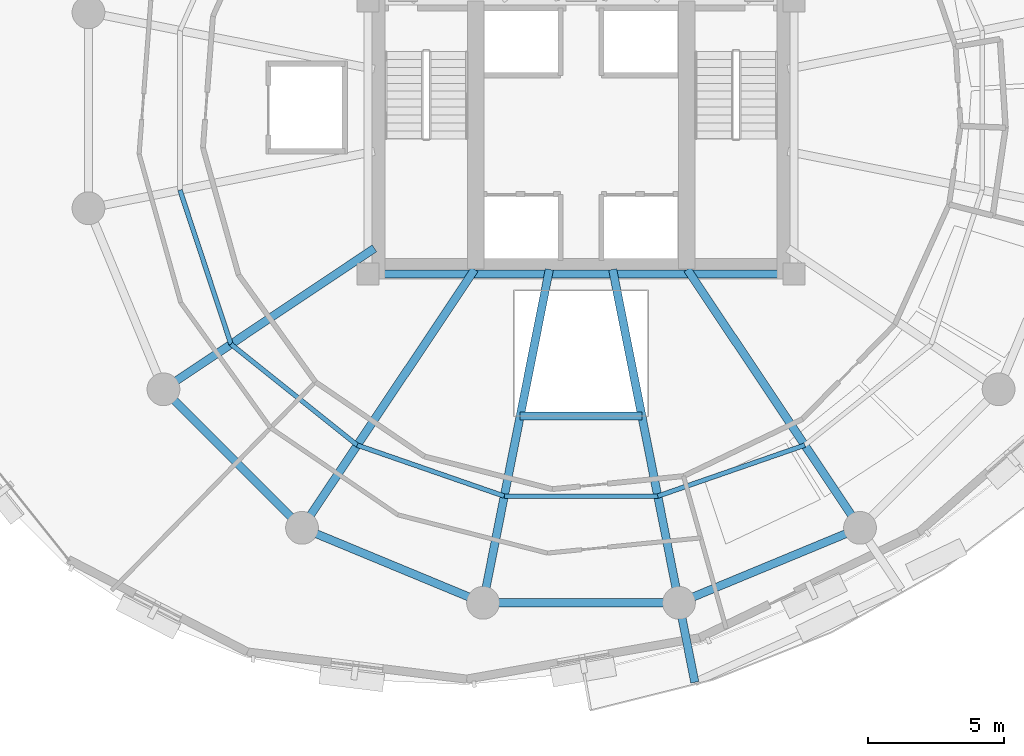
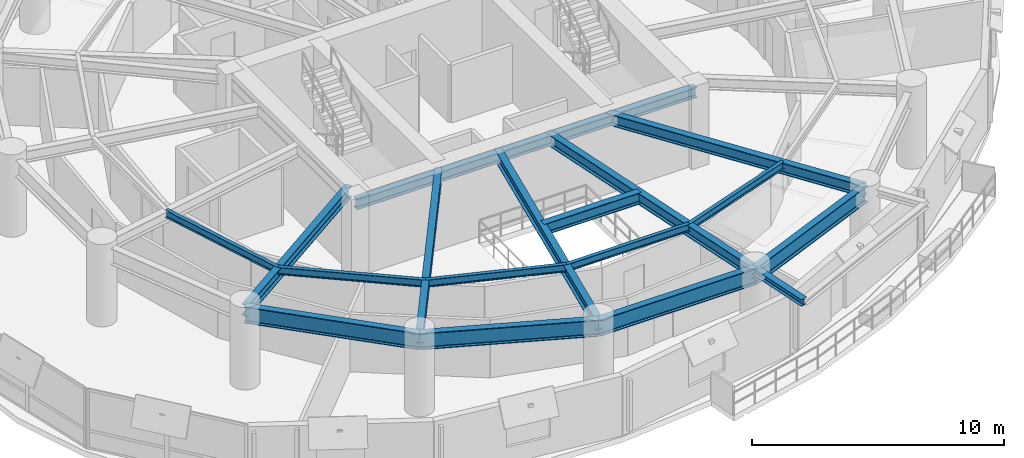
# One storey, part 3 of 15: 17 beams.
"""IFC4 building model written with IfcOpenShell, lengths in metres."""

from ifc_helpers import new_model, si_unit, direction, frame, origin, origin_2d, place, context, subcontext, project, spatial, i_section, extrude, material, material_profile, profile_set, type_object, element, save


model = new_model("IFC4")

# Units and contexts
model_context = context("Model", 3, precision=1e-05, world=origin(), true_north=direction((0.0, 1.0)))
body_context = subcontext(model_context, "Body", "Model", "MODEL_VIEW")
ifc_project = project(units=[si_unit("LENGTHUNIT", "METRE"), si_unit("AREAUNIT", "SQUARE_METRE"), si_unit("VOLUMEUNIT", "CUBIC_METRE"), si_unit("PLANEANGLEUNIT", "RADIAN"), si_unit("MASSUNIT", "GRAM", prefix="KILO"), si_unit("THERMODYNAMICTEMPERATUREUNIT", "KELVIN"), si_unit("POWERUNIT", "WATT")], contexts=[model_context])

# Site, building, storey
site_placement = place(None, origin())
site = spatial("IfcSite", under=ifc_project, at=site_placement, CompositionType="ELEMENT")
building_placement = place(site_placement, origin())
building = spatial("IfcBuilding", under=site, at=building_placement, Name="Ocrelia Relay Tower", CompositionType="ELEMENT")
storey_placement = place(building_placement, frame((0.0, 0.0, 141.800048828125)))
storey = spatial("IfcBuildingStorey", under=building, at=storey_placement, Name="L33", CompositionType="ELEMENT", Elevation=141.800048828125)

# Beams
ifc_material = material(Name="Steel S355", Category="steel")
ifc_material_profile_1 = material_profile(ifc_material, i_section(OverallWidth=0.300048828125, OverallDepth=0.330078125, WebThickness=0.009521484375, FlangeThickness=0.0166015625, FilletRadius=0.027099609375, at=origin_2d()), Name="HEA 340")
ifc_profile_set_1 = profile_set([ifc_material_profile_1], Name="Steel S355")
beam_type_1 = type_object("IfcBeamType", Name="BM-HEA340", PredefinedType="BEAM", material=ifc_profile_set_1)
beam_1_placement = place(storey_placement, frame((37.589599609375, 7.95361328125, 3.554931640625), z_axis=(0.195150917727, -0.980773225221, 0.0), x_axis=(0.980773225221, 0.195150917727, 0.0)))
element("IfcBeam", 1, at=beam_1_placement, inside=storey, type_object=beam_type_1, Name="L34 Balcony Cantilever Beam B2-1", PredefinedType="BEAM", context=body_context, shape_type="SweptSolid", body=[
    extrude(i_section(OverallWidth=0.300048828125, OverallDepth=0.330078125, WebThickness=0.009521484375, FlangeThickness=0.0166015625, FilletRadius=0.027099609375, at=origin_2d()), origin(), (0.0, 0.0, 1.0), 2.967529296875),
])
ifc_material_profile_2 = material_profile(ifc_material, i_section(OverallWidth=0.300048828125, OverallDepth=0.5, WebThickness=0.014404296875, FlangeThickness=0.028076171875, FilletRadius=0.027099609375, at=origin_2d()), Name="HEB 500")
ifc_profile_set_2 = profile_set([ifc_material_profile_2], Name="Steel S355")
beam_type_2 = type_object("IfcBeamType", Name="BM-HEB500", PredefinedType="BEAM", material=ifc_profile_set_2)
beam_2_placement = place(storey_placement, frame((26.199951171875, 20.0, 3.469970703125), z_axis=(1.0, 0.0, 0.0), x_axis=(0.0, 1.0, 0.0)))
element("IfcBeam", 2, at=beam_2_placement, inside=storey, type_object=beam_type_2, Name="L33 Core Pilaster Tie Beam S", PredefinedType="BEAM", context=body_context, shape_type="SweptSolid", body=[
    extrude(i_section(OverallWidth=0.300048828125, OverallDepth=0.5, WebThickness=0.014404296875, FlangeThickness=0.028076171875, FilletRadius=0.027099609375, at=origin_2d()), origin(), (0.0, 0.0, 1.0), 15.60009765625),
])
ifc_material_profile_3 = material_profile(ifc_material, i_section(OverallWidth=0.300048828125, OverallDepth=0.550048828125, WebThickness=0.014892578125, FlangeThickness=0.029052734375, FilletRadius=0.027099609375, at=origin_2d()), Name="HEB 550")
ifc_profile_set_3 = profile_set([ifc_material_profile_3], Name="Steel S355")
beam_type_3 = type_object("IfcBeamType", Name="BM-HEB550", PredefinedType="BEAM", material=ifc_profile_set_3)
beam_3_placement = place(storey_placement, frame((18.700927734375, 15.777587890625, 3.445068359375), z_axis=(0.831472030531, 0.555566613868, 0.0), x_axis=(-0.555566613868, 0.831472030531, 0.0)))
element("IfcBeam", 3, at=beam_3_placement, inside=storey, type_object=beam_type_3, Name="L33 Radial Floor Girder R10", PredefinedType="BEAM", context=body_context, shape_type="SweptSolid", body=[
    extrude(i_section(OverallWidth=0.300048828125, OverallDepth=0.550048828125, WebThickness=0.014892578125, FlangeThickness=0.029052734375, FilletRadius=0.027099609375, at=origin_2d()), origin(), (0.0, 0.0, 1.0), 9.295654296875),
])
beam_4_placement = place(storey_placement, frame((23.777587890625, 10.700927734375, 3.445068359375), z_axis=(0.555565661158, 0.831472667105, 0.0), x_axis=(-0.831472667105, 0.555565661158, 0.0)))
element("IfcBeam", 4, at=beam_4_placement, inside=storey, type_object=beam_type_3, Name="L33 Radial Floor Girder R11", PredefinedType="BEAM", context=body_context, shape_type="SweptSolid", body=[
    extrude(i_section(OverallWidth=0.300048828125, OverallDepth=0.550048828125, WebThickness=0.014892578125, FlangeThickness=0.029052734375, FilletRadius=0.027099609375, at=origin_2d()), origin(), (0.0, 0.0, 1.0), 11.38818359375),
])
for number, where, z_axis, x_axis, name in (
    (5, (30.410400390625, 7.95361328125, 3.445068359375), (0.195086983979, 0.980785944374, 0.0), (-0.980785944374, 0.195086983979, 0.0), "L33 Radial Floor Girder R12"),
    (6, (37.589599609375, 7.95361328125, 3.445068359375), (-0.195086983979, 0.980785944374, 0.0), (-0.980785944374, -0.195086983979, 0.0), "L33 Radial Floor Girder R13"),
):
    element("IfcBeam", number, at=place(storey_placement, frame(where, z_axis=z_axis, x_axis=x_axis)), inside=storey, type_object=beam_type_3, Name=name, PredefinedType="BEAM", context=body_context, shape_type="SweptSolid", body=[
        extrude(i_section(OverallWidth=0.300048828125, OverallDepth=0.550048828125, WebThickness=0.014892578125, FlangeThickness=0.029052734375, FilletRadius=0.027099609375, at=origin_2d()), origin(), (0.0, 0.0, 1.0), 12.45556640625),
    ])
beam_5_placement = place(storey_placement, frame((44.222412109375, 10.700927734375, 3.445068359375), z_axis=(-0.555565661158, 0.831472667105, 0.0), x_axis=(-0.831472667105, -0.555565661158, 0.0)))
element("IfcBeam", 7, at=beam_5_placement, inside=storey, type_object=beam_type_3, Name="L33 Radial Floor Girder R14", PredefinedType="BEAM", context=body_context, shape_type="SweptSolid", body=[
    extrude(i_section(OverallWidth=0.300048828125, OverallDepth=0.550048828125, WebThickness=0.014892578125, FlangeThickness=0.029052734375, FilletRadius=0.027099609375, at=origin_2d()), origin(), (0.0, 0.0, 1.0), 11.38818359375),
])
beam_6_placement = place(storey_placement, frame((31.772216796875, 14.800048828125, 3.445068359375), z_axis=(1.0, 0.0, 0.0), x_axis=(0.0, 1.0, 0.0)))
element("IfcBeam", 8, at=beam_6_placement, inside=storey, type_object=beam_type_3, Name="L33 Atrium South Trimmer Beam", PredefinedType="BEAM", context=body_context, shape_type="SweptSolid", body=[
    extrude(i_section(OverallWidth=0.300048828125, OverallDepth=0.550048828125, WebThickness=0.014892578125, FlangeThickness=0.029052734375, FilletRadius=0.027099609375, at=origin_2d()), origin(), (0.0, 0.0, 1.0), 4.45556640625),
])
ifc_material_profile_4 = material_profile(ifc_material, i_section(OverallWidth=0.300048828125, OverallDepth=0.800048828125, WebThickness=0.017578125, FlangeThickness=0.032958984375, FilletRadius=0.030029296875, at=origin_2d()), Name="HEB 800")
ifc_profile_set_4 = profile_set([ifc_material_profile_4], Name="Steel S355")
beam_type_4 = type_object("IfcBeamType", Name="BM-HEB800", PredefinedType="BEAM", material=ifc_profile_set_4)
beam_7_placement = place(storey_placement, frame((18.700927734375, 15.777587890625, 3.320068359375), z_axis=(0.707106781187, -0.707106781187, 0.0), x_axis=(0.707106781187, 0.707106781187, 0.0)))
element("IfcBeam", 9, at=beam_7_placement, inside=storey, type_object=beam_type_4, Name="L33 Perimeter Spandrel Beam S10", PredefinedType="BEAM", context=body_context, shape_type="SweptSolid", body=[
    extrude(i_section(OverallWidth=0.300048828125, OverallDepth=0.800048828125, WebThickness=0.017578125, FlangeThickness=0.032958984375, FilletRadius=0.030029296875, at=origin_2d()), origin(), (0.0, 0.0, 1.0), 7.179443359375),
])
for number, where, z_axis, x_axis, name in (
    (10, (23.777587890625, 10.700927734375, 3.320068359375), (0.923883789366, -0.382673155247, 0.0), (0.382673155247, 0.923883789366, 0.0), "L33 Perimeter Spandrel Beam S11"),
    (11, (30.410400390625, 7.95361328125, 3.320068359375), (1.0, 0.0, 0.0), (0.0, 1.0, 0.0), "L33 Perimeter Spandrel Beam S12"),
    (12, (37.589599609375, 7.95361328125, 3.320068359375), (0.923883789366, 0.382673155247, 0.0), (-0.382673155247, 0.923883789366, 0.0), "L33 Perimeter Spandrel Beam S13"),
):
    element("IfcBeam", number, at=place(storey_placement, frame(where, z_axis=z_axis, x_axis=x_axis)), inside=storey, type_object=beam_type_4, Name=name, PredefinedType="BEAM", context=body_context, shape_type="SweptSolid", body=[
        extrude(i_section(OverallWidth=0.300048828125, OverallDepth=0.800048828125, WebThickness=0.017578125, FlangeThickness=0.032958984375, FilletRadius=0.030029296875, at=origin_2d()), origin(), (0.0, 0.0, 1.0), 7.17919921875),
    ])
ifc_material_profile_5 = material_profile(ifc_material, i_section(OverallWidth=0.169921875, OverallDepth=0.360107421875, WebThickness=0.008056640625, FlangeThickness=0.0126953125, FilletRadius=0.01806640625, at=origin_2d()), Name="IPE 360")
ifc_profile_set_5 = profile_set([ifc_material_profile_5], Name="Steel S355")
beam_type_5 = type_object("IfcBeamType", Name="BM-IPE360", PredefinedType="JOIST", material=ifc_profile_set_5)
beam_8_placement = place(storey_placement, frame((19.305908203125, 23.0771484375, 3.5400390625), z_axis=(0.314121352003, -0.949382839647, 0.0), x_axis=(0.949382839647, 0.314121352003, 0.0)))
element("IfcBeam", 13, at=beam_8_placement, inside=storey, type_object=beam_type_5, Name="L33 Secondary Floor Joist J09", PredefinedType="JOIST", context=body_context, shape_type="SweptSolid", body=[
    extrude(i_section(OverallWidth=0.169921875, OverallDepth=0.360107421875, WebThickness=0.008056640625, FlangeThickness=0.0126953125, FilletRadius=0.01806640625, at=origin_2d()), origin(), (0.0, 0.0, 1.0), 5.947998046875),
])
beam_9_placement = place(storey_placement, frame((21.17431640625, 17.43017578125, 3.5400390625), z_axis=(0.781130070991, -0.62436833055, 0.0), x_axis=(0.62436833055, 0.781130070991, 0.0)))
element("IfcBeam", 14, at=beam_9_placement, inside=storey, type_object=beam_type_5, Name="L33 Secondary Floor Joist J10", PredefinedType="JOIST", context=body_context, shape_type="SweptSolid", body=[
    extrude(i_section(OverallWidth=0.169921875, OverallDepth=0.360107421875, WebThickness=0.008056640625, FlangeThickness=0.0126953125, FilletRadius=0.01806640625, at=origin_2d()), origin(), (0.0, 0.0, 1.0), 5.92431640625),
])
beam_10_placement = place(storey_placement, frame((25.802001953125, 13.731201171875, 3.5400390625), z_axis=(0.944767437111, -0.327741498401, 0.0), x_axis=(0.327741498401, 0.944767437111, 0.0)))
element("IfcBeam", 15, at=beam_10_placement, inside=storey, type_object=beam_type_5, Name="L33 Secondary Floor Joist J11", PredefinedType="JOIST", context=body_context, shape_type="SweptSolid", body=[
    extrude(i_section(OverallWidth=0.169921875, OverallDepth=0.360107421875, WebThickness=0.008056640625, FlangeThickness=0.0126953125, FilletRadius=0.01806640625, at=origin_2d()), origin(), (0.0, 0.0, 1.0), 5.700927734375),
])
beam_11_placement = place(storey_placement, frame((31.18798828125, 11.86279296875, 3.5400390625), z_axis=(1.0, 0.0, 0.0), x_axis=(0.0, 1.0, 0.0)))
element("IfcBeam", 16, at=beam_11_placement, inside=storey, type_object=beam_type_5, Name="L33 Secondary Floor Joist J12", PredefinedType="JOIST", context=body_context, shape_type="SweptSolid", body=[
    extrude(i_section(OverallWidth=0.169921875, OverallDepth=0.360107421875, WebThickness=0.008056640625, FlangeThickness=0.0126953125, FilletRadius=0.01806640625, at=origin_2d()), origin(), (0.0, 0.0, 1.0), 5.6240234375),
])
beam_12_placement = place(storey_placement, frame((36.81201171875, 11.86279296875, 3.5400390625), z_axis=(0.944767437111, 0.327741498401, 0.0), x_axis=(-0.327741498401, 0.944767437111, 0.0)))
element("IfcBeam", 17, at=beam_12_placement, inside=storey, type_object=beam_type_5, Name="L33 Secondary Floor Joist J13", PredefinedType="JOIST", context=body_context, shape_type="SweptSolid", body=[
    extrude(i_section(OverallWidth=0.169921875, OverallDepth=0.360107421875, WebThickness=0.008056640625, FlangeThickness=0.0126953125, FilletRadius=0.01806640625, at=origin_2d()), origin(), (0.0, 0.0, 1.0), 5.700927734375),
])

save(model, "model.ifc")
